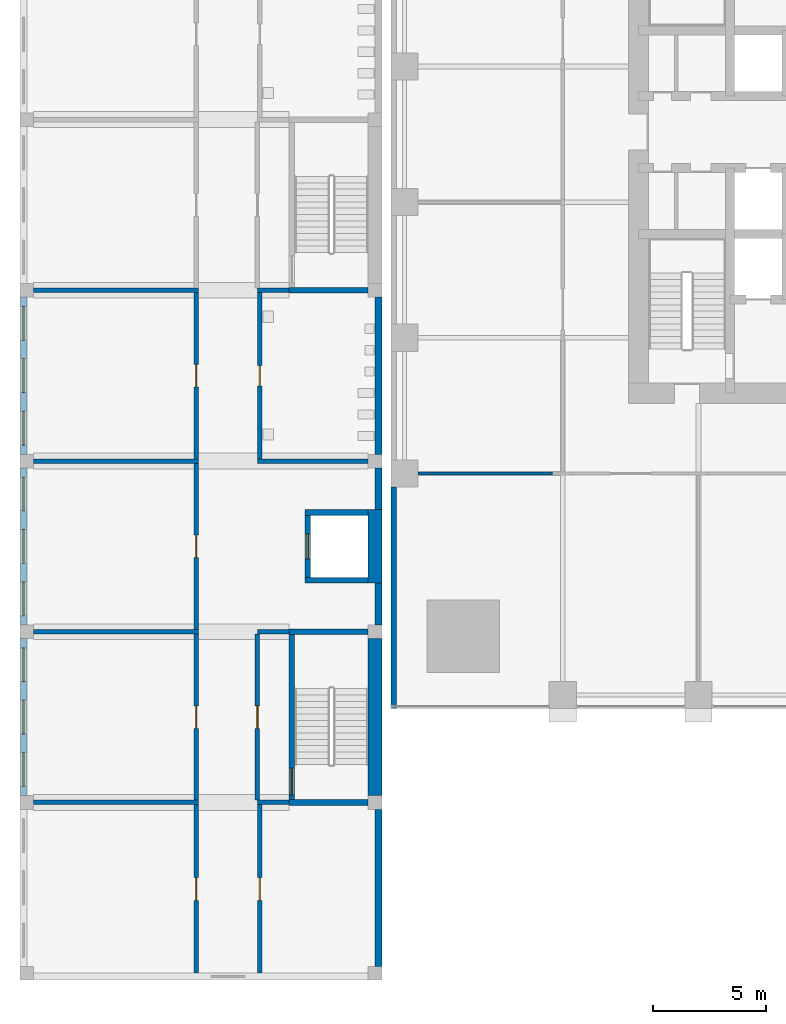
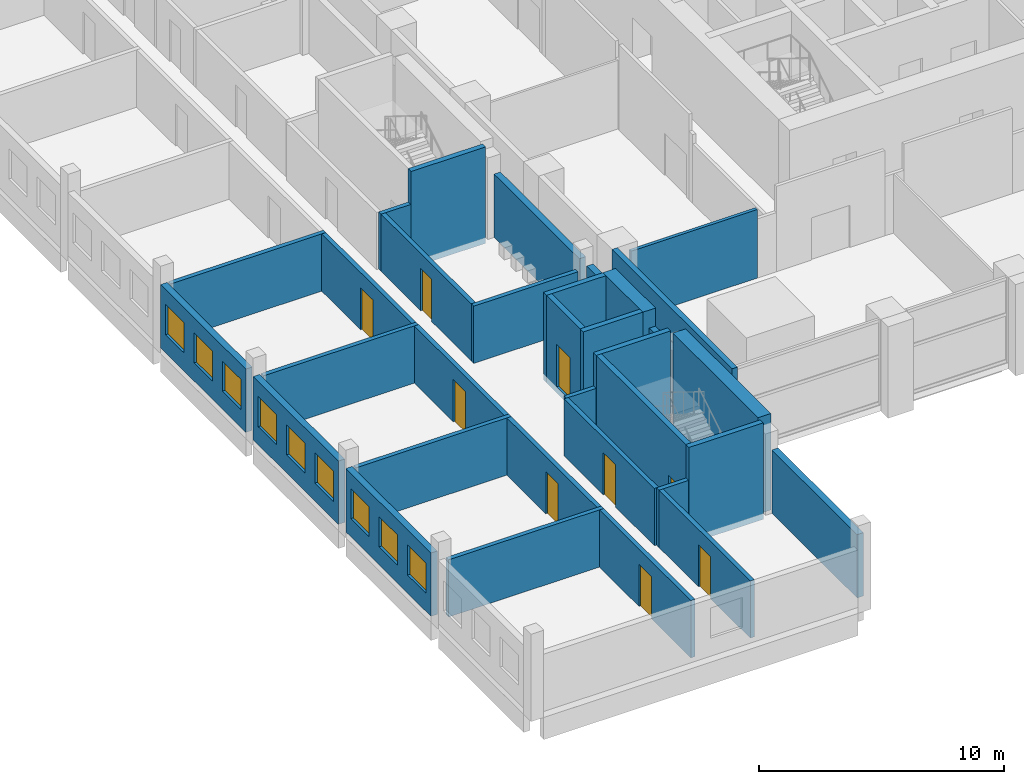
# One storey, part 10 of 24: 33 walls, 9 doors, 9 windows, 18 openings.
"""IFC4 building model written with IfcOpenShell, lengths in metres."""

from ifc_helpers import new_model, si_unit, direction, frame, frame_2d, origin, place, context, subcontext, project, spatial, rectangle, extrude, material, layer, layer_set, type_object, element, fill, save


model = new_model("IFC4")

# Units and contexts
model_context = context("Model", 3, precision=1e-05, world=origin(), true_north=direction((0.0, 1.0)))
body_context = subcontext(model_context, "Body", "Model", "MODEL_VIEW")
ifc_project = project(units=[si_unit("LENGTHUNIT", "METRE"), si_unit("AREAUNIT", "SQUARE_METRE"), si_unit("VOLUMEUNIT", "CUBIC_METRE"), si_unit("PLANEANGLEUNIT", "RADIAN"), si_unit("MASSUNIT", "GRAM", prefix="KILO")], contexts=[model_context])

# Site, building, storey
site_placement = place(None, origin())
site = spatial("IfcSite", under=ifc_project, at=site_placement, CompositionType="ELEMENT")
building_placement = place(site_placement, origin())
building = spatial("IfcBuilding", under=site, at=building_placement, Name="Amberfall Residences", CompositionType="ELEMENT")
storey_placement = place(building_placement, frame((0.0, 0.0, 19.0)))
storey = spatial("IfcBuildingStorey", under=building, at=storey_placement, Name="L04", CompositionType="ELEMENT", Elevation=19.0)

# Walls
ifc_material_1 = material(Name="Fire-rated gypsum board on steel studs", Category="steel")
ifc_layer_1 = layer(ifc_material_1, 0.14990234375)
ifc_layer_set_1 = layer_set([ifc_layer_1], Name="Partition 150 fire-rated")
wall_type_1 = type_object("IfcWallType", Name="Partition 150 fire-rated", PredefinedType="PARTITIONING", material=ifc_layer_set_1)
wall_1_placement = place(storey_placement, frame((53.199951171875, 30.39990234375, 0.0), z_axis=(0.0, 0.0, 1.0), x_axis=(1.0, 0.0, 0.0)))
element("IfcWall", 1, at=wall_1_placement, inside=storey, type_object=wall_type_1, Name="Partition 150 fire-rated L04 001", PredefinedType="PARTITIONING", context=body_context, shape_type="SweptSolid", body=[
    extrude(rectangle(XDim=5.949951171875, YDim=0.14990234375, at=frame_2d((2.97509765625, 0.0))), origin(), (0.0, 0.0, 1.0), 3.4150390625),
])
ifc_material_2 = material(Name="Precast concrete C40", Category="concrete")
ifc_layer_2 = layer(ifc_material_2, 0.25)
ifc_layer_set_2 = layer_set([ifc_layer_2], Name="Podium external wall 250")
wall_type_2 = type_object("IfcWallType", Name="Podium external wall 250", PredefinedType="SOLIDWALL", material=ifc_layer_set_2)
wall_2_placement = place(storey_placement, frame((52.125, 20.0, 0.0), z_axis=(0.0, 0.0, 1.0), x_axis=(0.0, 1.0, 0.0)))
element("IfcWall", 2, at=wall_2_placement, inside=storey, type_object=wall_type_2, Name="Podium external wall W1", PredefinedType="SOLIDWALL", context=body_context, shape_type="SweptSolid", body=[
    extrude(rectangle(XDim=9.800048828125, YDim=0.25, at=frame_2d((4.89990234375, 0.0))), origin(), (0.0, 0.0, 1.0), 4.25),
])

# Wall, openings, windows
ifc_material_3 = material(Name="Aerated block wall")
ifc_layer_3 = layer(ifc_material_3, 0.300048828125)
ifc_layer_set_3 = layer_set([ifc_layer_3], Name="School external wall 300")
wall_type_3 = type_object("IfcWallType", Name="School external wall 300", PredefinedType="SOLIDWALL", material=ifc_layer_set_3)
wall_3_placement = place(storey_placement, frame((35.75, 16.14990234375, 0.0), z_axis=(0.0, 0.0, 1.0), x_axis=(0.0, 1.0, 0.0)))
wall_3 = element("IfcWall", 3, at=wall_3_placement, inside=storey, type_object=wall_type_3, Name="School external wall L04 EW1", PredefinedType="SOLIDWALL", context=body_context, shape_type="SweptSolid", body=[
    extrude(rectangle(XDim=6.9501953125, YDim=0.300048828125, at=frame_2d((3.47509765625, 0.0))), origin(), (0.0, 0.0, 1.0), 3.14990234375),
])
opening_1_placement = place(wall_3_placement, frame((0.408203125, 0.0, 0.89990234375)))
opening_1 = element("IfcOpeningElement", 4, at=opening_1_placement, cuts=wall_3, Name="Opening SWN1", PredefinedType="OPENING", context=body_context, shape_type="SweptSolid", body=[
    extrude(rectangle(XDim=1.5, YDim=1.5, at=frame_2d((0.75, 0.75))), frame((0.0, 0.159912109375, 0.0), z_axis=(0.0, -1.0, 0.0), x_axis=(1.0, 0.0, 0.0)), (0.0, 0.0, 1.0), 0.320068359375),
])
opening_2_placement = place(wall_3_placement, frame((2.72509765625, 0.0, 0.89990234375)))
opening_2 = element("IfcOpeningElement", 5, at=opening_2_placement, cuts=wall_3, Name="Opening SWN1", PredefinedType="OPENING", context=body_context, shape_type="SweptSolid", body=[
    extrude(rectangle(XDim=1.5, YDim=1.5, at=frame_2d((0.75, 0.75))), frame((0.0, 0.159912109375, 0.0), z_axis=(0.0, -1.0, 0.0), x_axis=(1.0, 0.0, 0.0)), (0.0, 0.0, 1.0), 0.320068359375),
])
opening_3_placement = place(wall_3_placement, frame((5.041748046875, 0.0, 0.89990234375)))
opening_3 = element("IfcOpeningElement", 6, at=opening_3_placement, cuts=wall_3, Name="Opening SWN1", PredefinedType="OPENING", context=body_context, shape_type="SweptSolid", body=[
    extrude(rectangle(XDim=1.5, YDim=1.5, at=frame_2d((0.75, 0.75))), frame((0.0, 0.159912109375, 0.0), z_axis=(0.0, -1.0, 0.0), x_axis=(1.0, 0.0, 0.0)), (0.0, 0.0, 1.0), 0.320068359375),
])
ifc_material_4 = material(Name="Aluminium window", Category="aluminium")
window_type = type_object("IfcWindowType", Name="School window 1500 x 1500", PartitioningType="DOUBLE_PANEL_HORIZONTAL", PredefinedType="WINDOW", material=ifc_material_4)
window_1_placement = place(opening_1_placement, origin())
window_1 = element("IfcWindow", 7, at=window_1_placement, inside=storey, type_object=window_type, Name="School window L04 EW1-1", OverallHeight=1.5, OverallWidth=1.5, PartitioningType="DOUBLE_PANEL_HORIZONTAL", PredefinedType="WINDOW", context=body_context, shape_type="SweptSolid", body=[
    extrude(rectangle(XDim=1.5, YDim=1.5, at=frame_2d((0.75, 0.75))), frame((0.0, 0.030029296875, 0.0), z_axis=(0.0, -1.0, 0.0), x_axis=(1.0, 0.0, 0.0)), (0.0, 0.0, 1.0), 0.06005859375),
])
fill(opening_1, window_1)
window_2_placement = place(opening_2_placement, origin())
window_2 = element("IfcWindow", 8, at=window_2_placement, inside=storey, type_object=window_type, Name="School window L04 EW1-2", OverallHeight=1.5, OverallWidth=1.5, PartitioningType="DOUBLE_PANEL_HORIZONTAL", PredefinedType="WINDOW", context=body_context, shape_type="SweptSolid", body=[
    extrude(rectangle(XDim=1.5, YDim=1.5, at=frame_2d((0.75, 0.75))), frame((0.0, 0.030029296875, 0.0), z_axis=(0.0, -1.0, 0.0), x_axis=(1.0, 0.0, 0.0)), (0.0, 0.0, 1.0), 0.06005859375),
])
fill(opening_2, window_2)
window_3_placement = place(opening_3_placement, origin())
window_3 = element("IfcWindow", 9, at=window_3_placement, inside=storey, type_object=window_type, Name="School window L04 EW1-3", OverallHeight=1.5, OverallWidth=1.5, PartitioningType="DOUBLE_PANEL_HORIZONTAL", PredefinedType="WINDOW", context=body_context, shape_type="SweptSolid", body=[
    extrude(rectangle(XDim=1.5, YDim=1.5, at=frame_2d((0.75, 0.75))), frame((0.0, 0.030029296875, 0.0), z_axis=(0.0, -1.0, 0.0), x_axis=(1.0, 0.0, 0.0)), (0.0, 0.0, 1.0), 0.06005859375),
])
fill(opening_3, window_3)

wall_4_placement = place(storey_placement, frame((35.75, 23.699951171875, 0.0), z_axis=(0.0, 0.0, 1.0), x_axis=(0.0, 1.0, 0.0)))
wall_4 = element("IfcWall", 10, at=wall_4_placement, inside=storey, type_object=wall_type_3, Name="School external wall L04 EW2", PredefinedType="SOLIDWALL", context=body_context, shape_type="SweptSolid", body=[
    extrude(rectangle(XDim=6.949951171875, YDim=0.300048828125, at=frame_2d((3.47509765625, 0.0))), origin(), (0.0, 0.0, 1.0), 3.14990234375),
])
opening_4_placement = place(wall_4_placement, frame((0.408203125, 0.0, 0.89990234375)))
opening_4 = element("IfcOpeningElement", 11, at=opening_4_placement, cuts=wall_4, Name="Opening SWN1", PredefinedType="OPENING", context=body_context, shape_type="SweptSolid", body=[
    extrude(rectangle(XDim=1.5, YDim=1.5, at=frame_2d((0.75, 0.75))), frame((0.0, 0.159912109375, 0.0), z_axis=(0.0, -1.0, 0.0), x_axis=(1.0, 0.0, 0.0)), (0.0, 0.0, 1.0), 0.320068359375),
])
opening_5_placement = place(wall_4_placement, frame((2.72509765625, 0.0, 0.89990234375)))
opening_5 = element("IfcOpeningElement", 12, at=opening_5_placement, cuts=wall_4, Name="Opening SWN1", PredefinedType="OPENING", context=body_context, shape_type="SweptSolid", body=[
    extrude(rectangle(XDim=1.5, YDim=1.5, at=frame_2d((0.75, 0.75))), frame((0.0, 0.159912109375, 0.0), z_axis=(0.0, -1.0, 0.0), x_axis=(1.0, 0.0, 0.0)), (0.0, 0.0, 1.0), 0.320068359375),
])
opening_6_placement = place(wall_4_placement, frame((5.041748046875, 0.0, 0.89990234375)))
opening_6 = element("IfcOpeningElement", 13, at=opening_6_placement, cuts=wall_4, Name="Opening SWN1", PredefinedType="OPENING", context=body_context, shape_type="SweptSolid", body=[
    extrude(rectangle(XDim=1.5, YDim=1.5, at=frame_2d((0.75, 0.75))), frame((0.0, 0.159912109375, 0.0), z_axis=(0.0, -1.0, 0.0), x_axis=(1.0, 0.0, 0.0)), (0.0, 0.0, 1.0), 0.320068359375),
])
window_4_placement = place(opening_4_placement, origin())
window_4 = element("IfcWindow", 14, at=window_4_placement, inside=storey, type_object=window_type, Name="School window L04 EW2-1", OverallHeight=1.5, OverallWidth=1.5, PartitioningType="DOUBLE_PANEL_HORIZONTAL", PredefinedType="WINDOW", context=body_context, shape_type="SweptSolid", body=[
    extrude(rectangle(XDim=1.5, YDim=1.5, at=frame_2d((0.75, 0.75))), frame((0.0, 0.030029296875, 0.0), z_axis=(0.0, -1.0, 0.0), x_axis=(1.0, 0.0, 0.0)), (0.0, 0.0, 1.0), 0.06005859375),
])
fill(opening_4, window_4)
window_5_placement = place(opening_5_placement, origin())
window_5 = element("IfcWindow", 15, at=window_5_placement, inside=storey, type_object=window_type, Name="School window L04 EW2-2", OverallHeight=1.5, OverallWidth=1.5, PartitioningType="DOUBLE_PANEL_HORIZONTAL", PredefinedType="WINDOW", context=body_context, shape_type="SweptSolid", body=[
    extrude(rectangle(XDim=1.5, YDim=1.5, at=frame_2d((0.75, 0.75))), frame((0.0, 0.030029296875, 0.0), z_axis=(0.0, -1.0, 0.0), x_axis=(1.0, 0.0, 0.0)), (0.0, 0.0, 1.0), 0.06005859375),
])
fill(opening_5, window_5)
window_6_placement = place(opening_6_placement, origin())
window_6 = element("IfcWindow", 16, at=window_6_placement, inside=storey, type_object=window_type, Name="School window L04 EW2-3", OverallHeight=1.5, OverallWidth=1.5, PartitioningType="DOUBLE_PANEL_HORIZONTAL", PredefinedType="WINDOW", context=body_context, shape_type="SweptSolid", body=[
    extrude(rectangle(XDim=1.5, YDim=1.5, at=frame_2d((0.75, 0.75))), frame((0.0, 0.030029296875, 0.0), z_axis=(0.0, -1.0, 0.0), x_axis=(1.0, 0.0, 0.0)), (0.0, 0.0, 1.0), 0.06005859375),
])
fill(opening_6, window_6)

wall_5_placement = place(storey_placement, frame((35.75, 31.25, 0.0), z_axis=(0.0, 0.0, 1.0), x_axis=(0.0, 1.0, 0.0)))
wall_5 = element("IfcWall", 17, at=wall_5_placement, inside=storey, type_object=wall_type_3, Name="School external wall L04 EW3", PredefinedType="SOLIDWALL", context=body_context, shape_type="SweptSolid", body=[
    extrude(rectangle(XDim=6.949951171875, YDim=0.300048828125, at=frame_2d((3.47509765625, 0.0))), origin(), (0.0, 0.0, 1.0), 3.14990234375),
])
opening_7_placement = place(wall_5_placement, frame((0.408203125, 0.0, 0.89990234375)))
opening_7 = element("IfcOpeningElement", 18, at=opening_7_placement, cuts=wall_5, Name="Opening SWN1", PredefinedType="OPENING", context=body_context, shape_type="SweptSolid", body=[
    extrude(rectangle(XDim=1.5, YDim=1.5, at=frame_2d((0.75, 0.75))), frame((0.0, 0.159912109375, 0.0), z_axis=(0.0, -1.0, 0.0), x_axis=(1.0, 0.0, 0.0)), (0.0, 0.0, 1.0), 0.320068359375),
])
opening_8_placement = place(wall_5_placement, frame((2.72509765625, 0.0, 0.89990234375)))
opening_8 = element("IfcOpeningElement", 19, at=opening_8_placement, cuts=wall_5, Name="Opening SWN1", PredefinedType="OPENING", context=body_context, shape_type="SweptSolid", body=[
    extrude(rectangle(XDim=1.5, YDim=1.5, at=frame_2d((0.75, 0.75))), frame((0.0, 0.159912109375, 0.0), z_axis=(0.0, -1.0, 0.0), x_axis=(1.0, 0.0, 0.0)), (0.0, 0.0, 1.0), 0.320068359375),
])
opening_9_placement = place(wall_5_placement, frame((5.041748046875, 0.0, 0.89990234375)))
opening_9 = element("IfcOpeningElement", 20, at=opening_9_placement, cuts=wall_5, Name="Opening SWN1", PredefinedType="OPENING", context=body_context, shape_type="SweptSolid", body=[
    extrude(rectangle(XDim=1.5, YDim=1.5, at=frame_2d((0.75, 0.75))), frame((0.0, 0.159912109375, 0.0), z_axis=(0.0, -1.0, 0.0), x_axis=(1.0, 0.0, 0.0)), (0.0, 0.0, 1.0), 0.320068359375),
])
window_7_placement = place(opening_7_placement, origin())
window_7 = element("IfcWindow", 21, at=window_7_placement, inside=storey, type_object=window_type, Name="School window L04 EW3-1", OverallHeight=1.5, OverallWidth=1.5, PartitioningType="DOUBLE_PANEL_HORIZONTAL", PredefinedType="WINDOW", context=body_context, shape_type="SweptSolid", body=[
    extrude(rectangle(XDim=1.5, YDim=1.5, at=frame_2d((0.75, 0.75))), frame((0.0, 0.030029296875, 0.0), z_axis=(0.0, -1.0, 0.0), x_axis=(1.0, 0.0, 0.0)), (0.0, 0.0, 1.0), 0.06005859375),
])
fill(opening_7, window_7)
window_8_placement = place(opening_8_placement, origin())
window_8 = element("IfcWindow", 22, at=window_8_placement, inside=storey, type_object=window_type, Name="School window L04 EW3-2", OverallHeight=1.5, OverallWidth=1.5, PartitioningType="DOUBLE_PANEL_HORIZONTAL", PredefinedType="WINDOW", context=body_context, shape_type="SweptSolid", body=[
    extrude(rectangle(XDim=1.5, YDim=1.5, at=frame_2d((0.75, 0.75))), frame((0.0, 0.030029296875, 0.0), z_axis=(0.0, -1.0, 0.0), x_axis=(1.0, 0.0, 0.0)), (0.0, 0.0, 1.0), 0.06005859375),
])
fill(opening_8, window_8)
window_9_placement = place(opening_9_placement, origin())
window_9 = element("IfcWindow", 23, at=window_9_placement, inside=storey, type_object=window_type, Name="School window L04 EW3-3", OverallHeight=1.5, OverallWidth=1.5, PartitioningType="DOUBLE_PANEL_HORIZONTAL", PredefinedType="WINDOW", context=body_context, shape_type="SweptSolid", body=[
    extrude(rectangle(XDim=1.5, YDim=1.5, at=frame_2d((0.75, 0.75))), frame((0.0, 0.030029296875, 0.0), z_axis=(0.0, -1.0, 0.0), x_axis=(1.0, 0.0, 0.0)), (0.0, 0.0, 1.0), 0.06005859375),
])
fill(opening_9, window_9)

# Walls
for number, where, z_axis, x_axis, name in (
    (24, (51.449951171875, 8.60009765625, 0.0), (0.0, 0.0, 1.0), (0.0, 1.0, 0.0), "School external wall L04 ET0"),
    (25, (51.449951171875, 31.25, 0.0), (0.0, 0.0, 1.0), (0.0, 1.0, 0.0), "School external wall L04 ET3"),
):
    element("IfcWall", number, at=place(storey_placement, frame(where, z_axis=z_axis, x_axis=x_axis)), inside=storey, type_object=wall_type_3, Name=name, PredefinedType="SOLIDWALL", context=body_context, shape_type="SweptSolid", body=[
        extrude(rectangle(XDim=6.949951171875, YDim=0.300048828125, at=frame_2d((3.47509765625, 0.0))), origin(), (0.0, 0.0, 1.0), 3.14990234375),
    ])
wall_6_placement = place(storey_placement, frame((51.449951171875, 23.699951171875, 0.0), z_axis=(0.0, 0.0, 1.0), x_axis=(0.0, 1.0, 0.0)))
element("IfcWall", 26, at=wall_6_placement, inside=storey, type_object=wall_type_3, Name="School external wall L04 ET2a", PredefinedType="SOLIDWALL", context=body_context, shape_type="SweptSolid", body=[
    extrude(rectangle(XDim=1.85009765625, YDim=0.300048828125, at=frame_2d((0.925048828125, 0.0))), origin(), (0.0, 0.0, 1.0), 3.14990234375),
])
wall_7_placement = place(storey_placement, frame((51.449951171875, 28.800048828125, 0.0), z_axis=(0.0, 0.0, 1.0), x_axis=(0.0, 1.0, 0.0)))
element("IfcWall", 27, at=wall_7_placement, inside=storey, type_object=wall_type_3, Name="School external wall L04 ET2b", PredefinedType="SOLIDWALL", context=body_context, shape_type="SweptSolid", body=[
    extrude(rectangle(XDim=1.849853515625, YDim=0.300048828125, at=frame_2d((0.9248046875, 0.0))), origin(), (0.0, 0.0, 1.0), 3.14990234375),
])

# Wall, opening, door
ifc_layer_4 = layer(ifc_material_3, 0.199951171875)
ifc_layer_set_4 = layer_set([ifc_layer_4], Name="School partition 200")
wall_type_4 = type_object("IfcWallType", Name="School partition 200", PredefinedType="PARTITIONING", material=ifc_layer_set_4)
wall_8_placement = place(storey_placement, frame((43.39990234375, 8.300048828125, 0.0), z_axis=(0.0, 0.0, 1.0), x_axis=(0.0, 1.0, 0.0)))
wall_8 = element("IfcWall", 28, at=wall_8_placement, inside=storey, type_object=wall_type_4, Name="School partition L04 CWW0", PredefinedType="PARTITIONING", context=body_context, shape_type="SweptSolid", body=[
    extrude(rectangle(XDim=7.449951171875, YDim=0.199951171875, at=frame_2d((3.72509765625, 0.0))), origin(), (0.0, 0.0, 1.0), 2.85009765625),
])
opening_10_placement = place(wall_8_placement, frame((3.22509765625, 0.0, 0.0)))
opening_10 = element("IfcOpeningElement", 29, at=opening_10_placement, cuts=wall_8, Name="Opening SD5", PredefinedType="OPENING", context=body_context, shape_type="SweptSolid", body=[
    extrude(rectangle(XDim=1.0, YDim=2.10009765625, at=frame_2d((0.5, 1.050048828125))), frame((0.0, 0.10986328125, 0.0), z_axis=(0.0, -1.0, 0.0), x_axis=(1.0, 0.0, 0.0)), (0.0, 0.0, 1.0), 0.219970703125),
])
ifc_material_5 = material(Name="Timber door", Category="wood")
door_type_1 = type_object("IfcDoorType", Name="School classroom door 1000 x 2100", OperationType="SINGLE_SWING_LEFT", PredefinedType="DOOR", material=ifc_material_5)
door_1_placement = place(opening_10_placement, origin())
door_1 = element("IfcDoor", 30, at=door_1_placement, inside=storey, type_object=door_type_1, Name="School door L04 CWW0-1", OperationType="SINGLE_SWING_LEFT", OverallHeight=2.10009765625, OverallWidth=1.0, PredefinedType="DOOR", context=body_context, shape_type="SweptSolid", body=[
    extrude(rectangle(XDim=1.0, YDim=2.10009765625, at=frame_2d((0.5, 1.050048828125))), frame((0.0, 0.02490234375, 0.0), z_axis=(0.0, -1.0, 0.0), x_axis=(1.0, 0.0, 0.0)), (0.0, 0.0, 1.0), 0.050048828125),
])
fill(opening_10, door_1)

wall_9_placement = place(storey_placement, frame((43.39990234375, 15.949951171875, 0.0), z_axis=(0.0, 0.0, 1.0), x_axis=(0.0, 1.0, 0.0)))
wall_9 = element("IfcWall", 31, at=wall_9_placement, inside=storey, type_object=wall_type_4, Name="School partition L04 CWW1", PredefinedType="PARTITIONING", context=body_context, shape_type="SweptSolid", body=[
    extrude(rectangle(XDim=7.35009765625, YDim=0.199951171875, at=frame_2d((3.675048828125, 0.0))), origin(), (0.0, 0.0, 1.0), 2.85009765625),
])
opening_11_placement = place(wall_9_placement, frame((3.175048828125, 0.0, 0.0)))
opening_11 = element("IfcOpeningElement", 32, at=opening_11_placement, cuts=wall_9, Name="Opening SD5", PredefinedType="OPENING", context=body_context, shape_type="SweptSolid", body=[
    extrude(rectangle(XDim=1.0, YDim=2.10009765625, at=frame_2d((0.5, 1.050048828125))), frame((0.0, 0.10986328125, 0.0), z_axis=(0.0, -1.0, 0.0), x_axis=(1.0, 0.0, 0.0)), (0.0, 0.0, 1.0), 0.219970703125),
])
door_2_placement = place(opening_11_placement, origin())
door_2 = element("IfcDoor", 33, at=door_2_placement, inside=storey, type_object=door_type_1, Name="School door L04 CWW1-1", OperationType="SINGLE_SWING_LEFT", OverallHeight=2.10009765625, OverallWidth=1.0, PredefinedType="DOOR", context=body_context, shape_type="SweptSolid", body=[
    extrude(rectangle(XDim=1.0, YDim=2.10009765625, at=frame_2d((0.5, 1.050048828125))), frame((0.0, 0.02490234375, 0.0), z_axis=(0.0, -1.0, 0.0), x_axis=(1.0, 0.0, 0.0)), (0.0, 0.0, 1.0), 0.050048828125),
])
fill(opening_11, door_2)

wall_10_placement = place(storey_placement, frame((43.39990234375, 23.5, 0.0), z_axis=(0.0, 0.0, 1.0), x_axis=(0.0, 1.0, 0.0)))
wall_10 = element("IfcWall", 34, at=wall_10_placement, inside=storey, type_object=wall_type_4, Name="School partition L04 CWW2", PredefinedType="PARTITIONING", context=body_context, shape_type="SweptSolid", body=[
    extrude(rectangle(XDim=7.35009765625, YDim=0.199951171875, at=frame_2d((3.675048828125, 0.0))), origin(), (0.0, 0.0, 1.0), 2.85009765625),
])
opening_12_placement = place(wall_10_placement, frame((3.175048828125, 0.0, 0.0)))
opening_12 = element("IfcOpeningElement", 35, at=opening_12_placement, cuts=wall_10, Name="Opening SD5", PredefinedType="OPENING", context=body_context, shape_type="SweptSolid", body=[
    extrude(rectangle(XDim=1.0, YDim=2.10009765625, at=frame_2d((0.5, 1.050048828125))), frame((0.0, 0.10986328125, 0.0), z_axis=(0.0, -1.0, 0.0), x_axis=(1.0, 0.0, 0.0)), (0.0, 0.0, 1.0), 0.219970703125),
])
door_3_placement = place(opening_12_placement, origin())
door_3 = element("IfcDoor", 36, at=door_3_placement, inside=storey, type_object=door_type_1, Name="School door L04 CWW2-1", OperationType="SINGLE_SWING_LEFT", OverallHeight=2.10009765625, OverallWidth=1.0, PredefinedType="DOOR", context=body_context, shape_type="SweptSolid", body=[
    extrude(rectangle(XDim=1.0, YDim=2.10009765625, at=frame_2d((0.5, 1.050048828125))), frame((0.0, 0.02490234375, 0.0), z_axis=(0.0, -1.0, 0.0), x_axis=(1.0, 0.0, 0.0)), (0.0, 0.0, 1.0), 0.050048828125),
])
fill(opening_12, door_3)

wall_11_placement = place(storey_placement, frame((43.39990234375, 31.050048828125, 0.0), z_axis=(0.0, 0.0, 1.0), x_axis=(0.0, 1.0, 0.0)))
wall_11 = element("IfcWall", 37, at=wall_11_placement, inside=storey, type_object=wall_type_4, Name="School partition L04 CWW3", PredefinedType="PARTITIONING", context=body_context, shape_type="SweptSolid", body=[
    extrude(rectangle(XDim=7.349853515625, YDim=0.199951171875, at=frame_2d((3.6748046875, 0.0))), origin(), (0.0, 0.0, 1.0), 2.85009765625),
])
opening_13_placement = place(wall_11_placement, frame((3.175048828125, 0.0, 0.0)))
opening_13 = element("IfcOpeningElement", 38, at=opening_13_placement, cuts=wall_11, Name="Opening SD5", PredefinedType="OPENING", context=body_context, shape_type="SweptSolid", body=[
    extrude(rectangle(XDim=1.0, YDim=2.10009765625, at=frame_2d((0.5, 1.050048828125))), frame((0.0, 0.10986328125, 0.0), z_axis=(0.0, -1.0, 0.0), x_axis=(1.0, 0.0, 0.0)), (0.0, 0.0, 1.0), 0.219970703125),
])
door_4_placement = place(opening_13_placement, origin())
door_4 = element("IfcDoor", 39, at=door_4_placement, inside=storey, type_object=door_type_1, Name="School door L04 CWW3-1", OperationType="SINGLE_SWING_LEFT", OverallHeight=2.10009765625, OverallWidth=1.0, PredefinedType="DOOR", context=body_context, shape_type="SweptSolid", body=[
    extrude(rectangle(XDim=1.0, YDim=2.10009765625, at=frame_2d((0.5, 1.050048828125))), frame((0.0, 0.02490234375, 0.0), z_axis=(0.0, -1.0, 0.0), x_axis=(1.0, 0.0, 0.0)), (0.0, 0.0, 1.0), 0.050048828125),
])
fill(opening_13, door_4)

# Walls
for number, where, z_axis, x_axis, name in (
    (40, (36.199951171875, 15.85009765625, 0.0), (0.0, 0.0, 1.0), (1.0, 0.0, 0.0), "School partition L04 PW1585"),
    (41, (36.199951171875, 23.39990234375, 0.0), (0.0, 0.0, 1.0), (1.0, 0.0, 0.0), "School partition L04 PW2340"),
    (42, (36.199951171875, 30.949951171875, 0.0), (0.0, 0.0, 1.0), (1.0, 0.0, 0.0), "School partition L04 PW3095"),
    (43, (36.199951171875, 38.5, 0.0), (0.0, 0.0, 1.0), (1.0, 0.0, 0.0), "School partition L04 PW3850"),
):
    element("IfcWall", number, at=place(storey_placement, frame(where, z_axis=z_axis, x_axis=x_axis)), inside=storey, type_object=wall_type_4, Name=name, PredefinedType="PARTITIONING", context=body_context, shape_type="SweptSolid", body=[
        extrude(rectangle(XDim=7.300048828125, YDim=0.199951171875, at=frame_2d((3.64990234375, 0.0))), origin(), (0.0, 0.0, 1.0), 2.85009765625),
    ])

# Wall, opening, door
wall_12_placement = place(storey_placement, frame((46.199951171875, 8.300048828125, 0.0), z_axis=(0.0, 0.0, 1.0), x_axis=(0.0, 1.0, 0.0)))
wall_12 = element("IfcWall", 44, at=wall_12_placement, inside=storey, type_object=wall_type_4, Name="School partition L04 CWE08", PredefinedType="PARTITIONING", context=body_context, shape_type="SweptSolid", body=[
    extrude(rectangle(XDim=7.449951171875, YDim=0.199951171875, at=frame_2d((3.72509765625, 0.0))), origin(), (0.0, 0.0, 1.0), 2.85009765625),
])
opening_14_placement = place(wall_12_placement, frame((3.22509765625, 0.0, 0.0)))
opening_14 = element("IfcOpeningElement", 45, at=opening_14_placement, cuts=wall_12, Name="Opening SD5", PredefinedType="OPENING", context=body_context, shape_type="SweptSolid", body=[
    extrude(rectangle(XDim=1.0, YDim=2.10009765625, at=frame_2d((0.5, 1.050048828125))), frame((0.0, 0.10986328125, 0.0), z_axis=(0.0, -1.0, 0.0), x_axis=(1.0, 0.0, 0.0)), (0.0, 0.0, 1.0), 0.219970703125),
])
door_5_placement = place(opening_14_placement, origin())
door_5 = element("IfcDoor", 46, at=door_5_placement, inside=storey, type_object=door_type_1, Name="School door L04 CWE08-1", OperationType="SINGLE_SWING_LEFT", OverallHeight=2.10009765625, OverallWidth=1.0, PredefinedType="DOOR", context=body_context, shape_type="SweptSolid", body=[
    extrude(rectangle(XDim=1.0, YDim=2.10009765625, at=frame_2d((0.5, 1.050048828125))), frame((0.0, 0.02490234375, 0.0), z_axis=(0.0, -1.0, 0.0), x_axis=(1.0, 0.0, 0.0)), (0.0, 0.0, 1.0), 0.050048828125),
])
fill(opening_14, door_5)

wall_13_placement = place(storey_placement, frame((46.199951171875, 31.050048828125, 0.0), z_axis=(0.0, 0.0, 1.0), x_axis=(0.0, 1.0, 0.0)))
wall_13 = element("IfcWall", 47, at=wall_13_placement, inside=storey, type_object=wall_type_4, Name="School partition L04 CWE331", PredefinedType="PARTITIONING", context=body_context, shape_type="SweptSolid", body=[
    extrude(rectangle(XDim=7.349853515625, YDim=0.199951171875, at=frame_2d((3.6748046875, 0.0))), origin(), (0.0, 0.0, 1.0), 2.85009765625),
])
opening_15_placement = place(wall_13_placement, frame((3.22509765625, 0.0, 0.0)))
opening_15 = element("IfcOpeningElement", 48, at=opening_15_placement, cuts=wall_13, Name="Opening SD2", PredefinedType="OPENING", context=body_context, shape_type="SweptSolid", body=[
    extrude(rectangle(XDim=0.89990234375, YDim=2.10009765625, at=frame_2d((0.449951171875, 1.050048828125))), frame((0.0, 0.10986328125, 0.0), z_axis=(0.0, -1.0, 0.0), x_axis=(1.0, 0.0, 0.0)), (0.0, 0.0, 1.0), 0.219970703125),
])
door_type_2 = type_object("IfcDoorType", Name="School WC door 900 x 2100", OperationType="SINGLE_SWING_LEFT", PredefinedType="DOOR", material=ifc_material_5)
door_6_placement = place(opening_15_placement, origin())
door_6 = element("IfcDoor", 49, at=door_6_placement, inside=storey, type_object=door_type_2, Name="School door L04 CWE331-1", OperationType="SINGLE_SWING_LEFT", OverallHeight=2.10009765625, OverallWidth=0.89990234375, PredefinedType="DOOR", context=body_context, shape_type="SweptSolid", body=[
    extrude(rectangle(XDim=0.89990234375, YDim=2.10009765625, at=frame_2d((0.449951171875, 1.050048828125))), frame((0.0, 0.02490234375, 0.0), z_axis=(0.0, -1.0, 0.0), x_axis=(1.0, 0.0, 0.0)), (0.0, 0.0, 1.0), 0.050048828125),
])
fill(opening_15, door_6)

# Walls
for number, where, z_axis, x_axis, name in (
    (50, (46.10009765625, 15.85009765625, 0.0), (0.0, 0.0, 1.0), (1.0, 0.0, 0.0), "School partition L04 PEA1"),
    (51, (46.10009765625, 23.39990234375, 0.0), (0.0, 0.0, 1.0), (1.0, 0.0, 0.0), "School partition L04 PEA2"),
):
    element("IfcWall", number, at=place(storey_placement, frame(where, z_axis=z_axis, x_axis=x_axis)), inside=storey, type_object=wall_type_4, Name=name, PredefinedType="PARTITIONING", context=body_context, shape_type="SweptSolid", body=[
        extrude(rectangle(XDim=1.39990234375, YDim=0.199951171875, at=frame_2d((0.699951171875, 0.0))), origin(), (0.0, 0.0, 1.0), 2.85009765625),
    ])
wall_14_placement = place(storey_placement, frame((46.10009765625, 30.949951171875, 0.0), z_axis=(0.0, 0.0, 1.0), x_axis=(1.0, 0.0, 0.0)))
element("IfcWall", 52, at=wall_14_placement, inside=storey, type_object=wall_type_4, Name="School partition L04 PE3", PredefinedType="PARTITIONING", context=body_context, shape_type="SweptSolid", body=[
    extrude(rectangle(XDim=4.89990234375, YDim=0.199951171875, at=frame_2d((2.449951171875, 0.0))), origin(), (0.0, 0.0, 1.0), 2.85009765625),
])
wall_15_placement = place(storey_placement, frame((46.10009765625, 38.5, 0.0), z_axis=(0.0, 0.0, 1.0), x_axis=(1.0, 0.0, 0.0)))
element("IfcWall", 53, at=wall_15_placement, inside=storey, type_object=wall_type_4, Name="School partition L04 PEA4", PredefinedType="PARTITIONING", context=body_context, shape_type="SweptSolid", body=[
    extrude(rectangle(XDim=1.39990234375, YDim=0.199951171875, at=frame_2d((0.699951171875, 0.0))), origin(), (0.0, 0.0, 1.0), 2.85009765625),
])

# Wall, opening, door
wall_16_placement = place(storey_placement, frame((46.10009765625, 15.949951171875, 0.0), z_axis=(0.0, 0.0, 1.0), x_axis=(0.0, 1.0, 0.0)))
wall_16 = element("IfcWall", 54, at=wall_16_placement, inside=storey, type_object=wall_type_4, Name="School partition L04 CWLSS1", PredefinedType="PARTITIONING", context=body_context, shape_type="SweptSolid", body=[
    extrude(rectangle(XDim=7.35009765625, YDim=0.199951171875, at=frame_2d((3.675048828125, 0.0))), origin(), (0.0, 0.0, 1.0), 2.85009765625),
])
opening_16_placement = place(wall_16_placement, frame((3.175048828125, 0.0, 0.0)))
opening_16 = element("IfcOpeningElement", 55, at=opening_16_placement, cuts=wall_16, Name="Opening SD8", PredefinedType="OPENING", context=body_context, shape_type="SweptSolid", body=[
    extrude(rectangle(XDim=1.0, YDim=2.10009765625, at=frame_2d((0.5, 1.050048828125))), frame((0.0, 0.10986328125, 0.0), z_axis=(0.0, -1.0, 0.0), x_axis=(1.0, 0.0, 0.0)), (0.0, 0.0, 1.0), 0.219970703125),
])
door_type_3 = type_object("IfcDoorType", Name="School lobby door 1000 x 2100", OperationType="SINGLE_SWING_LEFT", PredefinedType="DOOR", material=ifc_material_5)
door_7_placement = place(opening_16_placement, origin())
door_7 = element("IfcDoor", 56, at=door_7_placement, inside=storey, type_object=door_type_3, Name="School door L04 CWLSS1-1", OperationType="SINGLE_SWING_LEFT", OverallHeight=2.10009765625, OverallWidth=1.0, PredefinedType="DOOR", context=body_context, shape_type="SweptSolid", body=[
    extrude(rectangle(XDim=1.0, YDim=2.10009765625, at=frame_2d((0.5, 1.050048828125))), frame((0.0, 0.02490234375, 0.0), z_axis=(0.0, -1.0, 0.0), x_axis=(1.0, 0.0, 0.0)), (0.0, 0.0, 1.0), 0.050048828125),
])
fill(opening_16, door_7)

ifc_material_6 = material(Name="Concrete C50", Category="concrete")
ifc_layer_5 = layer(ifc_material_6, 0.25)
ifc_layer_set_5 = layer_set([ifc_layer_5], Name="School stair core wall 250 C50")
wall_type_5 = type_object("IfcWallType", Name="School stair core wall 250 C50", PredefinedType="SHEAR", material=ifc_layer_set_5)
wall_17_placement = place(storey_placement, frame((47.625, 15.97509765625, -0.300048828125), z_axis=(0.0, 0.0, 1.0), x_axis=(0.0, 1.0, 0.0)))
wall_17 = element("IfcWall", 57, at=wall_17_placement, inside=storey, type_object=wall_type_5, Name="School core wall L04 SS1W", PredefinedType="SHEAR", context=body_context, shape_type="SweptSolid", body=[
    extrude(rectangle(XDim=7.2998046875, YDim=0.25, at=frame_2d((3.64990234375, 0.0))), origin(), (0.0, 0.0, 1.0), 4.800048828125),
])
opening_17_placement = place(wall_17_placement, frame((0.199951171875, 0.0, 0.300048828125)))
opening_17 = element("IfcOpeningElement", 58, at=opening_17_placement, cuts=wall_17, Name="Opening SD4", PredefinedType="OPENING", context=body_context, shape_type="SweptSolid", body=[
    extrude(rectangle(XDim=1.199951171875, YDim=2.10009765625, at=frame_2d((0.60009765625, 1.050048828125))), frame((0.0, 0.135009765625, 0.0), z_axis=(0.0, -1.0, 0.0), x_axis=(1.0, 0.0, 0.0)), (0.0, 0.0, 1.0), 0.27001953125),
])
ifc_material_7 = material(Name="Steel fire door", Category="steel")
door_type_4 = type_object("IfcDoorType", Name="School stair door 1200 x 2100 FD120", OperationType="SINGLE_SWING_LEFT", PredefinedType="DOOR", material=ifc_material_7)
door_8_placement = place(opening_17_placement, origin())
door_8 = element("IfcDoor", 59, at=door_8_placement, inside=storey, type_object=door_type_4, Name="School stair door L04 SS1", OperationType="SINGLE_SWING_LEFT", OverallHeight=2.10009765625, OverallWidth=1.199951171875, PredefinedType="DOOR", context=body_context, shape_type="SweptSolid", body=[
    extrude(rectangle(XDim=1.199951171875, YDim=2.10009765625, at=frame_2d((0.60009765625, 1.050048828125))), frame((0.0, 0.02490234375, 0.0), z_axis=(0.0, -1.0, 0.0), x_axis=(1.0, 0.0, 0.0)), (0.0, 0.0, 1.0), 0.050048828125),
])
fill(opening_17, door_8)

# Walls
for number, where, z_axis, x_axis, name in (
    (60, (47.5, 15.85009765625, -0.300048828125), (0.0, 0.0, 1.0), (1.0, 0.0, 0.0), "School core wall L04 SS1S"),
    (61, (47.5, 23.39990234375, -0.300048828125), (0.0, 0.0, 1.0), (1.0, 0.0, 0.0), "School core wall L04 SS1N"),
    (62, (47.5, 38.5, -0.300048828125), (0.0, 0.0, 1.0), (1.0, 0.0, 0.0), "School core wall L04 SS2S"),
):
    element("IfcWall", number, at=place(storey_placement, frame(where, z_axis=z_axis, x_axis=x_axis)), inside=storey, type_object=wall_type_5, Name=name, PredefinedType="SHEAR", context=body_context, shape_type="SweptSolid", body=[
        extrude(rectangle(XDim=3.5, YDim=0.25, at=frame_2d((1.75, 0.0))), origin(), (0.0, 0.0, 1.0), 4.800048828125),
    ])

# Wall, opening, door
wall_18_placement = place(storey_placement, frame((48.324951171875, 25.675048828125, -0.300048828125), z_axis=(0.0, 0.0, 1.0), x_axis=(0.0, 1.0, 0.0)))
wall_18 = element("IfcWall", 63, at=wall_18_placement, inside=storey, type_object=wall_type_5, Name="School core wall L04 LFW", PredefinedType="SHEAR", context=body_context, shape_type="SweptSolid", body=[
    extrude(rectangle(XDim=3.0, YDim=0.25, at=frame_2d((1.5, 0.0))), origin(), (0.0, 0.0, 1.0), 4.35009765625),
])
opening_18_placement = place(wall_18_placement, frame((0.949951171875, 0.0, 0.300048828125)))
opening_18 = element("IfcOpeningElement", 64, at=opening_18_placement, cuts=wall_18, Name="Opening SLD1", PredefinedType="OPENING", context=body_context, shape_type="SweptSolid", body=[
    extrude(rectangle(XDim=1.10009765625, YDim=2.10009765625, at=frame_2d((0.550048828125, 1.050048828125))), frame((0.0, 0.135009765625, 0.0), z_axis=(0.0, -1.0, 0.0), x_axis=(1.0, 0.0, 0.0)), (0.0, 0.0, 1.0), 0.27001953125),
])
ifc_material_8 = material(Name="Stainless steel door", Category="steel")
door_type_5 = type_object("IfcDoorType", Name="School lift landing door 1100 x 2100", OperationType="SLIDING_TO_LEFT", PredefinedType="DOOR", material=ifc_material_8)
door_9_placement = place(opening_18_placement, origin())
door_9 = element("IfcDoor", 65, at=door_9_placement, inside=storey, type_object=door_type_5, Name="Landing door L04 LS1", OperationType="SLIDING_TO_LEFT", OverallHeight=2.10009765625, OverallWidth=1.10009765625, PredefinedType="DOOR", context=body_context, shape_type="SweptSolid", body=[
    extrude(rectangle(XDim=1.10009765625, YDim=2.10009765625, at=frame_2d((0.550048828125, 1.050048828125))), frame((0.0, 0.02490234375, 0.0), z_axis=(0.0, -1.0, 0.0), x_axis=(1.0, 0.0, 0.0)), (0.0, 0.0, 1.0), 0.050048828125),
])
fill(opening_18, door_9)

# Walls
for number, where, z_axis, x_axis, name in (
    (66, (48.199951171875, 25.675048828125, -0.300048828125), (0.0, 0.0, 1.0), (1.0, 0.0, 0.0), "School core wall L04 LFS"),
    (67, (48.199951171875, 28.675048828125, -0.300048828125), (0.0, 0.0, 1.0), (1.0, 0.0, 0.0), "School core wall L04 LFN"),
):
    element("IfcWall", number, at=place(storey_placement, frame(where, z_axis=z_axis, x_axis=x_axis)), inside=storey, type_object=wall_type_5, Name=name, PredefinedType="SHEAR", context=body_context, shape_type="SweptSolid", body=[
        extrude(rectangle(XDim=2.800048828125, YDim=0.25, at=frame_2d((1.39990234375, 0.0))), origin(), (0.0, 0.0, 1.0), 4.35009765625),
    ])
ifc_layer_6 = layer(ifc_material_6, 0.60009765625)
ifc_layer_set_6 = layer_set([ifc_layer_6], Name="School tower-side core wall 600 C50")
wall_type_6 = type_object("IfcWallType", Name="School tower-side core wall 600 C50", PredefinedType="SHEAR", material=ifc_layer_set_6)
wall_19_placement = place(storey_placement, frame((51.300048828125, 16.14990234375, -0.300048828125), z_axis=(0.0, 0.0, 1.0), x_axis=(0.0, 1.0, 0.0)))
element("IfcWall", 68, at=wall_19_placement, inside=storey, type_object=wall_type_6, Name="School core wall L04 SS1E", PredefinedType="SHEAR", context=body_context, shape_type="SweptSolid", body=[
    extrude(rectangle(XDim=6.9501953125, YDim=0.60009765625, at=frame_2d((3.47509765625, 0.0))), origin(), (0.0, 0.0, 1.0), 4.800048828125),
])
wall_20_placement = place(storey_placement, frame((51.300048828125, 25.550048828125, -0.300048828125), z_axis=(0.0, 0.0, 1.0), x_axis=(0.0, 1.0, 0.0)))
element("IfcWall", 69, at=wall_20_placement, inside=storey, type_object=wall_type_6, Name="School core wall L04 LFE", PredefinedType="SHEAR", context=body_context, shape_type="SweptSolid", body=[
    extrude(rectangle(XDim=3.25, YDim=0.60009765625, at=frame_2d((1.625, 0.0))), origin(), (0.0, 0.0, 1.0), 4.35009765625),
])

save(model, "model.ifc")
